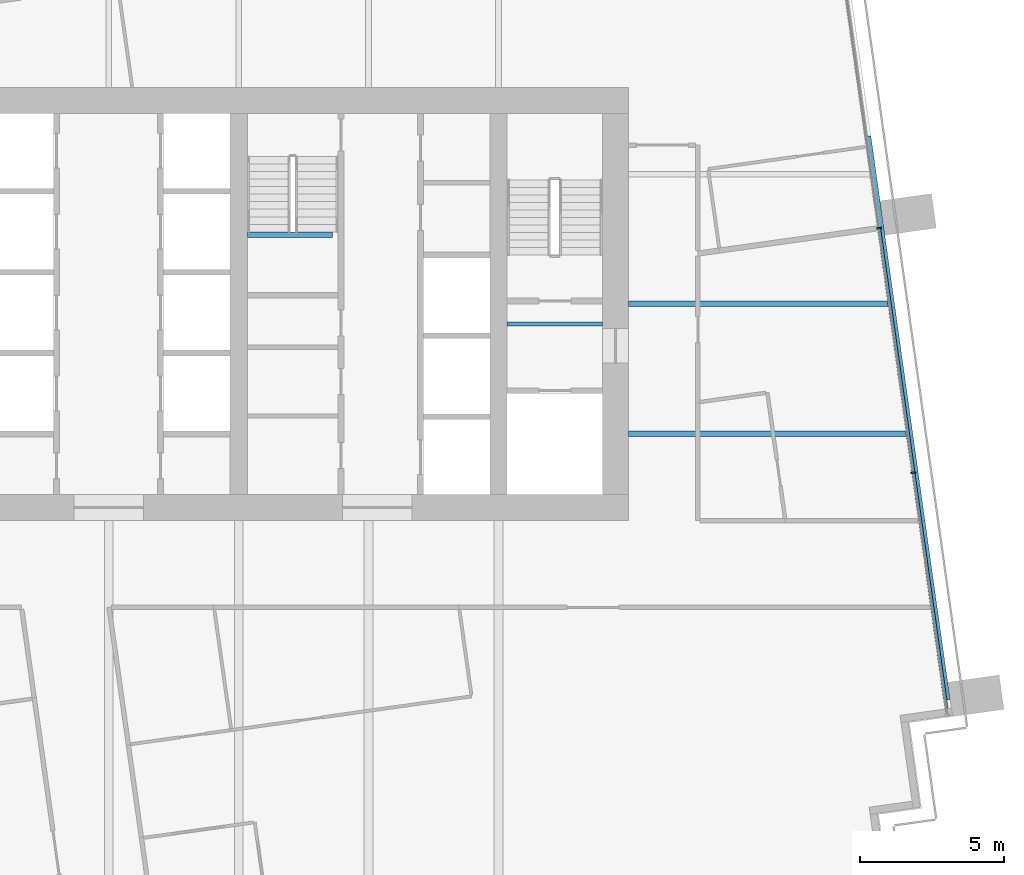
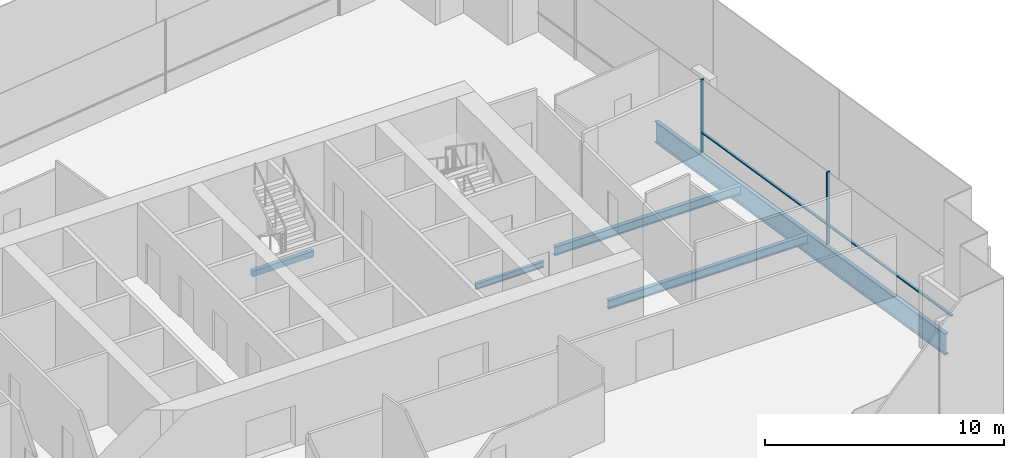
# One storey, part 5 of 17: 5 beams, 4 members, 1 element without a shape of its own.
"""IFC4 building model written with IfcOpenShell, lengths in metres."""

from ifc_helpers import new_model, si_unit, direction, frame, origin, origin_2d, place, context, subcontext, project, spatial, rectangle, i_section, extrude, material, material_profile, profile_set, type_object, element, aggregate, save


model = new_model("IFC4")

# Units and contexts
model_context = context("Model", 3, precision=1e-05, world=origin(), true_north=direction((0.0, 1.0)))
body_context = subcontext(model_context, "Body", "Model", "MODEL_VIEW")
ifc_project = project(units=[si_unit("LENGTHUNIT", "METRE"), si_unit("AREAUNIT", "SQUARE_METRE"), si_unit("VOLUMEUNIT", "CUBIC_METRE"), si_unit("PLANEANGLEUNIT", "RADIAN"), si_unit("MASSUNIT", "GRAM", prefix="KILO")], contexts=[model_context])

# Site, building, storey
site_placement = place(None, origin())
site = spatial("IfcSite", under=ifc_project, at=site_placement, CompositionType="ELEMENT")
building_placement = place(site_placement, origin())
building = spatial("IfcBuilding", under=site, at=building_placement, Name="Rattan Terrace Tower", CompositionType="ELEMENT")
storey_placement = place(building_placement, frame((0.0, 0.0, 168.5)))
storey = spatial("IfcBuildingStorey", under=building, at=storey_placement, Name="L38", CompositionType="ELEMENT", Elevation=168.5)

# Beam
ifc_material_1 = material(Name="Concrete C40/50", Category="concrete")
ifc_material_profile_1 = material_profile(ifc_material_1, rectangle(XDim=0.199951171875, YDim=0.300048828125, at=origin_2d()), Name="RC 200x300")
ifc_profile_set_1 = profile_set([ifc_material_profile_1], Name="Concrete C40/50")
beam_type_1 = type_object("IfcBeamType", Name="Core landing beam RC 200x300", PredefinedType="BEAM", material=ifc_profile_set_1)
beam_1_placement = place(storey_placement, frame((4.800048828125, 2.39990234375, 1.60009765625), z_axis=(1.0, 0.0, 0.0), x_axis=(0.0, 1.0, 0.0)))
element("IfcBeam", 1, at=beam_1_placement, inside=storey, type_object=beam_type_1, Name="st-S3-L38 landing 1 edge beam", PredefinedType="BEAM", context=body_context, shape_type="SweptSolid", body=[
    extrude(rectangle(XDim=0.199951171875, YDim=0.300048828125, at=origin_2d()), origin(), (0.0, 0.0, 1.0), 2.949951171875),
])

# Curtain wall, members
ifc_material_2 = material(Name="Aluminium and glass", Category="aluminium")
curtain_wall_type = type_object("IfcCurtainWallType", Name="Facade Unitised Curtain Wall", PredefinedType="NOTDEFINED", material=ifc_material_2)
curtain_wall_placement = place(storey_placement, origin())
curtain_wall = element("IfcCurtainWall", 2, at=curtain_wall_placement, inside=storey, type_object=curtain_wall_type, Name="Curtain wall L38-1", PredefinedType="NOTDEFINED")
ifc_material_3 = material(Name="Aluminium", Category="aluminium")
ifc_material_profile_2 = material_profile(ifc_material_3, rectangle(XDim=0.06005859375, YDim=0.159912109375, at=origin_2d()), Name="Aluminium 60x160")
ifc_profile_set_2 = profile_set([ifc_material_profile_2], Name="Aluminium")
member_type_1 = type_object("IfcMemberType", Name="Facade CW Mullion 60x160", PredefinedType="MULLION", material=ifc_profile_set_2)
member_1_placement = place(storey_placement, frame((27.857666015625, -5.8408203125, 0.0), z_axis=(0.0, 0.0, 1.0), x_axis=(-0.139190856006, 0.99026557327, 0.0)))
member_1 = element("IfcMember", 3, at=member_1_placement, type_object=member_type_1, Name="Mullion cwl-L38-001.2", PredefinedType="MULLION", context=body_context, shape_type="SweptSolid", body=[
    extrude(rectangle(XDim=0.06005859375, YDim=0.159912109375, at=origin_2d()), origin(), (0.0, 0.0, 1.0), 3.699951171875),
])
member_2_placement = place(storey_placement, frame((26.66748046875, 2.6259765625, 0.0), z_axis=(0.0, 0.0, 1.0), x_axis=(-0.139190856006, 0.99026557327, 0.0)))
member_2 = element("IfcMember", 4, at=member_2_placement, type_object=member_type_1, Name="Mullion cwl-L38-001.3", PredefinedType="MULLION", context=body_context, shape_type="SweptSolid", body=[
    extrude(rectangle(XDim=0.06005859375, YDim=0.159912109375, at=origin_2d()), origin(), (0.0, 0.0, 1.0), 3.699951171875),
])
ifc_material_4 = material(Name="Aluminium", Category="aluminium")
ifc_material_profile_3 = material_profile(ifc_material_4, rectangle(XDim=0.1201171875, YDim=0.06005859375, at=origin_2d()), Name="Aluminium 120x60")
ifc_profile_set_3 = profile_set([ifc_material_profile_3], Name="Aluminium")
member_type_2 = type_object("IfcMemberType", Name="Facade CW Transom 120x60", PredefinedType="USERDEFINED", material=ifc_profile_set_3)
member_3_placement = place(storey_placement, frame((29.032958984375, -14.20361328125, 1.0), z_axis=(-0.139174814558, 0.99026782791, 0.0), x_axis=(-0.99026782791, -0.139174814558, 0.0)))
member_3 = element("IfcMember", 5, at=member_3_placement, type_object=member_type_2, Name="Transom cwl-L38-001.1", ObjectType="TRANSOM", PredefinedType="USERDEFINED", context=body_context, shape_type="SweptSolid", body=[
    extrude(rectangle(XDim=0.1201171875, YDim=0.06005859375, at=origin_2d()), origin(), (0.0, 0.0, 1.0), 8.414794921875),
])
member_4_placement = place(storey_placement, frame((27.853515625, -5.811279296875, 1.0), z_axis=(-0.139206806234, 0.990263331189, 0.0), x_axis=(-0.990263331189, -0.139206806234, 0.0)))
member_4 = element("IfcMember", 6, at=member_4_placement, type_object=member_type_2, Name="Transom cwl-L38-001.2", ObjectType="TRANSOM", PredefinedType="USERDEFINED", context=body_context, shape_type="SweptSolid", body=[
    extrude(rectangle(XDim=0.1201171875, YDim=0.06005859375, at=origin_2d()), origin(), (0.0, 0.0, 1.0), 8.490234375),
])
aggregate(curtain_wall, [member_1, member_2, member_3, member_4])

# Beams
ifc_material_5 = material(Name="Steel S460", Category="steel")
ifc_material_profile_4 = material_profile(ifc_material_5, i_section(OverallWidth=0.179931640625, OverallDepth=1.10009765625, WebThickness=0.01611328125, FlangeThickness=0.050048828125, at=origin_2d()), Name="PG 1100x180-16-50")
ifc_profile_set_4 = profile_set([ifc_material_profile_4], Name="Steel S460")
beam_type_2 = type_object("IfcBeamType", Name="Frame edge girder PG 1100x180-16-50", PredefinedType="SPANDREL", material=ifc_profile_set_4)
beam_2_placement = place(storey_placement, frame((26.301025390625, 5.81201171875, -0.75), z_axis=(0.139187065437, -0.990266106062, 0.0), x_axis=(0.990266106062, 0.139187065437, 0.0)))
element("IfcBeam", 7, at=beam_2_placement, inside=storey, type_object=beam_type_2, Name="gdr-L38-005", PredefinedType="SPANDREL", context=body_context, shape_type="SweptSolid", body=[
    extrude(i_section(OverallWidth=0.179931640625, OverallDepth=1.10009765625, WebThickness=0.01611328125, FlangeThickness=0.050048828125, at=origin_2d()), origin(), (0.0, 0.0, 1.0), 19.706787109375),
])
ifc_material_6 = material(Name="Steel S355", Category="steel")
ifc_material_profile_5 = material_profile(ifc_material_6, i_section(OverallWidth=0.14990234375, OverallDepth=0.300048828125, WebThickness=0.007080078125, FlangeThickness=0.0107421875, FilletRadius=0.014892578125, at=origin_2d()), Name="IPE 300")
ifc_profile_set_5 = profile_set([ifc_material_profile_5], Name="Steel S355")
beam_type_3 = type_object("IfcBeamType", Name="Frame floor beam IPE 300", PredefinedType="JOIST", material=ifc_profile_set_5)
beam_3_placement = place(storey_placement, frame((13.800048828125, -0.695068359375, -0.35009765625), z_axis=(1.0, 0.0, 0.0), x_axis=(0.0, 1.0, 0.0)))
element("IfcBeam", 8, at=beam_3_placement, inside=storey, type_object=beam_type_3, Name="bm-L38-002", PredefinedType="JOIST", context=body_context, shape_type="SweptSolid", body=[
    extrude(i_section(OverallWidth=0.14990234375, OverallDepth=0.300048828125, WebThickness=0.007080078125, FlangeThickness=0.0107421875, FilletRadius=0.014892578125, at=origin_2d()), origin(), (0.0, 0.0, 1.0), 3.300048828125),
])
ifc_material_7 = material(Name="Steel S355", Category="steel")
ifc_material_profile_6 = material_profile(ifc_material_7, i_section(OverallWidth=0.18994140625, OverallDepth=0.449951171875, WebThickness=0.009521484375, FlangeThickness=0.0146484375, FilletRadius=0.02099609375, at=origin_2d()), Name="IPE 450")
ifc_profile_set_6 = profile_set([ifc_material_profile_6], Name="Steel S355")
beam_type_4 = type_object("IfcBeamType", Name="Frame floor beam IPE 450", PredefinedType="JOIST", material=ifc_profile_set_6)
beam_4_placement = place(storey_placement, frame((18.0, -4.5, -0.425048828125), z_axis=(1.0, 0.0, 0.0), x_axis=(0.0, 1.0, 0.0)))
element("IfcBeam", 9, at=beam_4_placement, inside=storey, type_object=beam_type_4, Name="bm-L38-011", PredefinedType="JOIST", context=body_context, shape_type="SweptSolid", body=[
    extrude(i_section(OverallWidth=0.18994140625, OverallDepth=0.449951171875, WebThickness=0.009521484375, FlangeThickness=0.0146484375, FilletRadius=0.02099609375, at=origin_2d()), origin(), (0.0, 0.0, 1.0), 9.64599609375),
])
beam_5_placement = place(storey_placement, frame((18.0, 0.0, -0.425048828125), z_axis=(1.0, 0.0, 0.0), x_axis=(0.0, 1.0, 0.0)))
element("IfcBeam", 10, at=beam_5_placement, inside=storey, type_object=beam_type_4, Name="bm-L38-013", PredefinedType="JOIST", context=body_context, shape_type="SweptSolid", body=[
    extrude(i_section(OverallWidth=0.18994140625, OverallDepth=0.449951171875, WebThickness=0.009521484375, FlangeThickness=0.0146484375, FilletRadius=0.02099609375, at=origin_2d()), origin(), (0.0, 0.0, 1.0), 9.013916015625),
])

save(model, "model.ifc")
